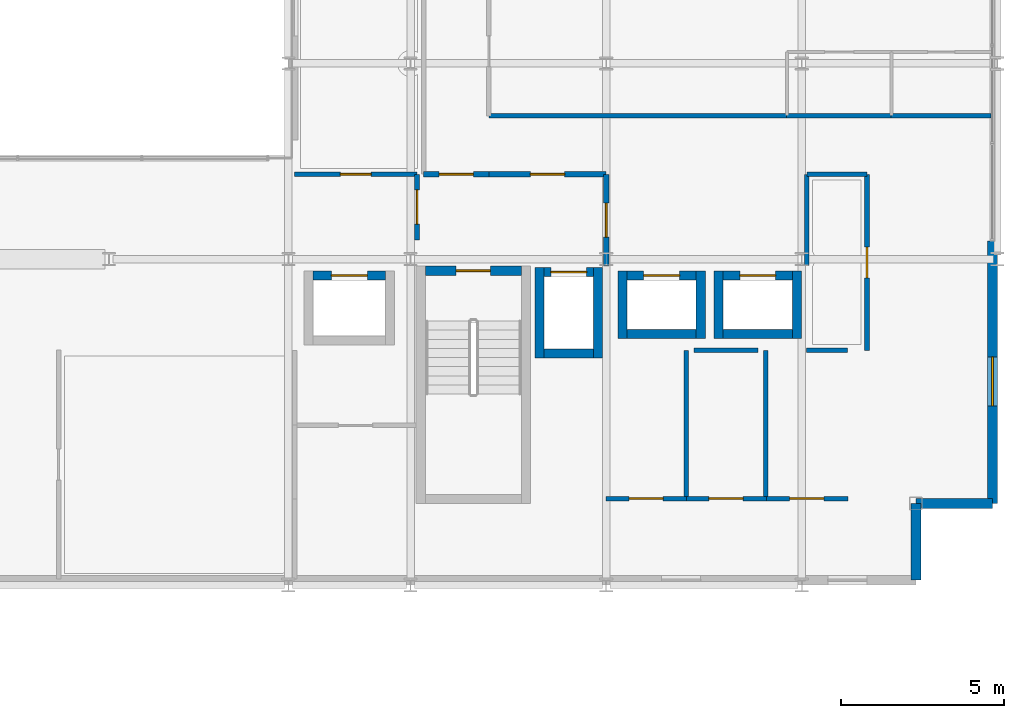
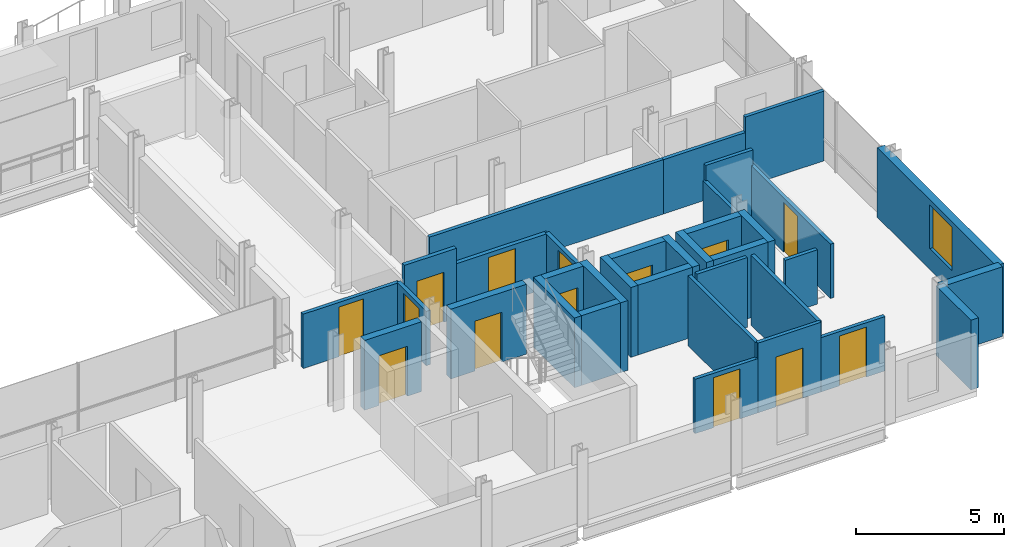
# One storey, part 36 of 41: 35 walls, 14 doors, 1 window, 15 openings.
"""IFC4 building model written with IfcOpenShell, lengths in metres."""

import ifcopenshell
import ifcopenshell.guid

model = None  # the IFC model being written
_history = None  # IfcOwnerHistory: only IFC2X3 demands one
_inside = {}  # id of a spatial element -> (the spatial element, [elements in it])
_under = {}  # id of a project, library or spatial element -> (it, [spatial elements below it])
_declared = {}  # id of a project -> (the project, [libraries it declares])
_typed = {}  # id of a type object -> (the type object, [elements of that type])
_made_of = {}  # id of a material, layer set ... -> (it, [elements and type objects made of it])


def new_model(schema):
    """Start an empty IFC model of exactly this schema.

    Asked for "IFC4X3", IfcOpenShell would pick the latest addendum, in which some entities
    have other attributes; the version numbers below select the first issue.
    IFC2X3 requires an IfcOwnerHistory on every rooted entity: one is made here for all.
    """
    global model, _history
    if schema == "IFC4X3":
        model = ifcopenshell.file(schema_version=(4, 3, 0, 0))
    else:
        model = ifcopenshell.file(schema=schema)
    _inside.clear()
    _under.clear()
    _declared.clear()
    _typed.clear()
    _made_of.clear()
    _history = None
    if model.schema == "IFC2X3":
        org = make("IfcOrganization", Name="unknown")
        user = make(
            "IfcPersonAndOrganization",
            ThePerson=make("IfcPerson", FamilyName="unknown"),
            TheOrganization=org,
        )
        app = make(
            "IfcApplication",
            ApplicationDeveloper=org,
            Version="unknown",
            ApplicationFullName="unknown",
            ApplicationIdentifier="unknown",
        )
        _history = make(
            "IfcOwnerHistory",
            OwningUser=user,
            OwningApplication=app,
            ChangeAction="ADDED",
            CreationDate=0,
        )
    return model


def make(cls, **values):
    """One entity of the class cls with the attributes given. An attribute that is None is left unset."""
    return model.create_entity(
        cls, **{name: value for name, value in values.items() if value is not None}
    )


def rooted(cls, **values):
    """An entity with a GlobalId (a new one), such as an element, a storey or a relation."""
    return make(cls, GlobalId=ifcopenshell.guid.new(), OwnerHistory=_history, **values)


def si_unit(unit_type, name, prefix=None):
    """IfcSIUnit, for example si_unit("LENGTHUNIT", "METRE", prefix="MILLI")."""
    return make("IfcSIUnit", UnitType=unit_type, Prefix=prefix, Name=name)


def assignment(units):
    """IfcUnitAssignment: the units of a project."""
    return None if units is None else make("IfcUnitAssignment", Units=units)


def point(xyz):
    """IfcCartesianPoint."""
    return None if xyz is None else make("IfcCartesianPoint", Coordinates=xyz)


def direction(xyz):
    """IfcDirection."""
    return None if xyz is None else make("IfcDirection", DirectionRatios=xyz)


def frame(location, z_axis=None, x_axis=None):
    """IfcAxis2Placement3D, a coordinate frame: its origin and axes. An axis left out is left unset."""
    return make(
        "IfcAxis2Placement3D",
        Location=point(location),
        Axis=direction(z_axis),
        RefDirection=direction(x_axis),
    )


def frame_2d(location, x_axis=None):
    """IfcAxis2Placement2D, a coordinate frame in the plane: its origin and x axis."""
    return make(
        "IfcAxis2Placement2D", Location=point(location), RefDirection=direction(x_axis)
    )


def origin():
    """The frame at (0, 0, 0) with its axes left unset."""
    return frame((0.0, 0.0, 0.0))


def place(relative_to, where):
    """IfcLocalPlacement: puts the frame where relative to a parent placement (None: the world)."""
    return make(
        "IfcLocalPlacement", PlacementRelTo=relative_to, RelativePlacement=where
    )


def context(
    kind, dimensions, precision=None, world=None, true_north=None, identifier=None
):
    """IfcGeometricRepresentationContext, for example the 3D "Model" context."""
    return make(
        "IfcGeometricRepresentationContext",
        ContextIdentifier=identifier,
        ContextType=kind,
        CoordinateSpaceDimension=dimensions,
        Precision=precision,
        WorldCoordinateSystem=world,
        TrueNorth=true_north,
    )


def subcontext(parent, identifier, kind, view, scale=None):
    """IfcGeometricRepresentationSubContext, for example "Body" below "Model"."""
    return make(
        "IfcGeometricRepresentationSubContext",
        ContextIdentifier=identifier,
        ContextType=kind,
        ParentContext=parent,
        TargetScale=scale,
        TargetView=view,
    )


def project(units=None, contexts=None):
    """IfcProject with its units and contexts."""
    return rooted(
        "IfcProject",
        Name="project",
        RepresentationContexts=contexts,
        UnitsInContext=assignment(units),
    )


def spatial(cls, under=None, at=None, **own):
    """A site, building, storey or space (cls), placed at a placement, below another one or the project."""
    s = rooted(cls, ObjectPlacement=at, **own)
    if under is not None:
        _under.setdefault(under.id(), (under, []))[1].append(s)
    return s


def profile(cls, at=None, kind="AREA", **sizes):
    """A parametric profile (cls). Its sizes go by their IFC names, for example OverallWidth=200.0."""
    return make(cls, ProfileType=kind, Position=at, **sizes)


def rectangle(**sizes):
    """IfcRectangleProfileDef."""
    return profile("IfcRectangleProfileDef", **sizes)


def extrude(swept, where, along, depth):
    """IfcExtrudedAreaSolid: the profile swept, set in the frame where, extruded along a direction by depth."""
    return make(
        "IfcExtrudedAreaSolid",
        SweptArea=swept,
        Position=where,
        ExtrudedDirection=direction(along),
        Depth=depth,
    )


def shape(context_of_items, identifier, shape_type, items):
    """IfcShapeRepresentation: the items that make up one representation, for example the "Body"."""
    return make(
        "IfcShapeRepresentation",
        ContextOfItems=context_of_items,
        RepresentationIdentifier=identifier,
        RepresentationType=shape_type,
        Items=items,
    )


def material(Name=None, Category=None):
    """IfcMaterial."""
    return make("IfcMaterial", Name=Name, Category=Category)


def layer(
    of_material, thickness, ventilated=None, Name=None, Category=None, Priority=None
):
    """IfcMaterialLayer: one layer of a wall or slab, of a material (None: an air gap)."""
    return make(
        "IfcMaterialLayer",
        Material=of_material,
        LayerThickness=thickness,
        IsVentilated=ventilated,
        Name=Name,
        Category=Category,
        Priority=Priority,
    )


def layer_set(layers, Name=None):
    """IfcMaterialLayerSet."""
    return make("IfcMaterialLayerSet", MaterialLayers=layers, LayerSetName=Name)


def made_of(thing, what):
    """Note that an element or type object is made of a material, layer set ...; save() writes the relation."""
    if what is not None:
        _made_of.setdefault(what.id(), (what, []))[1].append(thing)
    return thing


def type_object(cls, material=None, **own):
    """A type object (cls), such as IfcWallType, which elements share."""
    return made_of(rooted(cls, **own), material)


def element(
    cls,
    number,
    at=None,
    inside=None,
    cuts=None,
    type_object=None,
    material=None,
    context=None,
    identifier="Body",
    shape_type=None,
    held_by="IfcProductDefinitionShape",
    body=None,
    shapes=None,
    **own,
):
    """One element of the class cls, such as IfcWall. Its Tag is "e" and its number.

    at: its placement. inside: the storey or other place that contains it. cuts: it is an
    opening in that element (IfcRelVoidsElement). A single representation is given by context,
    identifier, shape_type and body (its items); several are given by shapes. held_by: the class
    of the entity that holds the representations. save() writes the other relations.
    """
    e = rooted(cls, Tag="e%d" % number, ObjectPlacement=at, **own)
    if body is not None:
        shapes = [shape(context, identifier, shape_type, body)]
    if shapes is not None:
        e.Representation = make(held_by, Representations=shapes)
    if inside is not None:
        _inside.setdefault(inside.id(), (inside, []))[1].append(e)
    if cuts is not None:
        rooted(
            "IfcRelVoidsElement", RelatingBuildingElement=cuts, RelatedOpeningElement=e
        )
    if type_object is not None:
        _typed.setdefault(type_object.id(), (type_object, []))[1].append(e)
    return made_of(e, material)


def fill(opening, filler):
    """IfcRelFillsElement: the door or window that sits in an opening."""
    return rooted(
        "IfcRelFillsElement",
        RelatingOpeningElement=opening,
        RelatedBuildingElement=filler,
    )


def aggregate(whole, parts):
    """IfcRelAggregates: a whole, such as a stair, and the parts it consists of."""
    return rooted("IfcRelAggregates", RelatingObject=whole, RelatedObjects=parts)


def save(model, path):
    """Write the relations noted so far, then the file.

    IfcRelAggregates (storeys below a building ...), IfcRelContainedInSpatialStructure (elements
    in a storey), IfcRelDefinesByType, IfcRelAssociatesMaterial and IfcRelDeclares: one each for
    every whole, place, type object, material and project.
    """
    for whole, parts in _under.values():
        aggregate(whole, parts)
    for where, things in _inside.values():
        rooted(
            "IfcRelContainedInSpatialStructure",
            RelatedElements=things,
            RelatingStructure=where,
        )
    for kind, things in _typed.values():
        rooted("IfcRelDefinesByType", RelatedObjects=things, RelatingType=kind)
    for what, things in _made_of.values():
        rooted("IfcRelAssociatesMaterial", RelatedObjects=things, RelatingMaterial=what)
    for by, libraries in _declared.values():
        rooted("IfcRelDeclares", RelatingContext=by, RelatedDefinitions=libraries)
    model.write(path)


model = new_model("IFC4")

# Units and contexts
model_context = context("Model", 3, precision=1e-05, world=origin(), true_north=direction((0.0, 1.0)))
body_context = subcontext(model_context, "Body", "Model", "MODEL_VIEW")
ifc_project = project(units=[si_unit("LENGTHUNIT", "METRE"), si_unit("AREAUNIT", "SQUARE_METRE"), si_unit("VOLUMEUNIT", "CUBIC_METRE"), si_unit("PLANEANGLEUNIT", "RADIAN"), si_unit("MASSUNIT", "GRAM", prefix="KILO")], contexts=[model_context])

# Site, building, storey
site_placement = place(None, origin())
site = spatial("IfcSite", under=ifc_project, at=site_placement, CompositionType="ELEMENT")
building_placement = place(site_placement, origin())
building = spatial("IfcBuilding", under=site, at=building_placement, Name="Brevholm Reach", CompositionType="ELEMENT")
storey_placement = place(building_placement, frame((0.0, 0.0, 144.89990234375)))
storey = spatial("IfcBuildingStorey", under=building, at=storey_placement, Name="L43", CompositionType="ELEMENT", Elevation=144.89990234375)

# Wall, opening, door
ifc_material_1 = material(Name="Concrete C50/60", Category="concrete")
ifc_layer_1 = layer(ifc_material_1, 0.280029296875)
ifc_layer_set_1 = layer_set([ifc_layer_1], Name="Concrete C50/60")
wall_type_1 = type_object("IfcWallType", Name="WAL-COR-280", PredefinedType="SHEAR", material=ifc_layer_set_1)
wall_1_placement = place(storey_placement, frame((45.39990234375, 9.639892578125, 0.0), z_axis=(0.0, 0.0, 1.0), x_axis=(-1.0, 0.0, 0.0)))
wall_1 = element("IfcWall", 1, at=wall_1_placement, inside=storey, type_object=wall_type_1, Name="L43 Escape Stair ST-2 Core Wall N", PredefinedType="SHEAR", context=body_context, shape_type="SweptSolid", body=[
    extrude(rectangle(XDim=2.949951171875, YDim=0.280029296875, at=frame_2d((1.47509765625, 0.0))), origin(), (0.0, 0.0, 1.0), 2.880126953125),
])
opening_1_placement = place(wall_1_placement, frame((0.949951171875, 0.0, 0.0)))
opening_1 = element("IfcOpeningElement", 2, at=opening_1_placement, cuts=wall_1, Name="Opening SD-ST-2", PredefinedType="OPENING", context=body_context, shape_type="SweptSolid", body=[
    extrude(rectangle(XDim=1.050048828125, YDim=2.06005859375, at=frame_2d((0.52490234375, 1.030029296875))), frame((0.0, 0.14990234375, 0.0), z_axis=(0.0, -1.0, 0.0), x_axis=(1.0, 0.0, 0.0)), (0.0, 0.0, 1.0), 0.300048828125),
])
ifc_material_2 = material(Name="Hardwood-Lipped Steel-Core Fire and Smoke Door", Category="steel")
door_type_1 = type_object("IfcDoorType", Name="DOR-INT-FD60S", OperationType="NOTDEFINED", PredefinedType="DOOR", material=ifc_material_2)
door_1_placement = place(opening_1_placement, origin())
door_1 = element("IfcDoor", 3, at=door_1_placement, inside=storey, type_object=door_type_1, Name="L43 Protected Stair ST-2 Lobby Door", OperationType="SINGLE_SWING_RIGHT", OverallHeight=2.06005859375, OverallWidth=1.050048828125, PredefinedType="DOOR", context=body_context, shape_type="SweptSolid", body=[
    extrude(rectangle(XDim=1.050048828125, YDim=2.06005859375, at=frame_2d((0.52490234375, 1.030029296875))), frame((0.0, 0.02490234375, 0.0), z_axis=(0.0, -1.0, 0.0), x_axis=(1.0, 0.0, 0.0)), (0.0, 0.0, 1.0), 0.050048828125),
])
fill(opening_1, door_1)

# Walls
for number, where, z_axis, x_axis, name in (
    (4, (45.949951171875, 6.9599609375, 0.0), (0.0, 0.0, 1.0), (0.0, 1.0, 0.0), "L43 Lift FFL-2 Shaft Wall W"),
    (5, (47.75, 6.9599609375, 0.0), (0.0, 0.0, 1.0), (0.0, 1.0, 0.0), "L43 Lift FFL-2 Shaft Wall E"),
):
    element("IfcWall", number, at=place(storey_placement, frame(where, z_axis=z_axis, x_axis=x_axis)), inside=storey, type_object=wall_type_1, Name=name, PredefinedType="SHEAR", context=body_context, shape_type="SweptSolid", body=[
        extrude(rectangle(XDim=2.780029296875, YDim=0.280029296875, at=frame_2d((1.39013671875, 0.0))), origin(), (0.0, 0.0, 1.0), 2.880126953125),
    ])
wall_2_placement = place(storey_placement, frame((46.090087890625, 7.10009765625, 0.0), z_axis=(0.0, 0.0, 1.0), x_axis=(1.0, 0.0, 0.0)))
element("IfcWall", 6, at=wall_2_placement, inside=storey, type_object=wall_type_1, Name="L43 Lift FFL-2 Shaft Wall S", PredefinedType="SHEAR", context=body_context, shape_type="SweptSolid", body=[
    extrude(rectangle(XDim=1.52001953125, YDim=0.280029296875, at=frame_2d((0.760009765625, 0.0))), origin(), (0.0, 0.0, 1.0), 2.880126953125),
])

# Wall, opening, door
wall_3_placement = place(storey_placement, frame((46.090087890625, 9.60009765625, 0.0), z_axis=(0.0, 0.0, 1.0), x_axis=(1.0, 0.0, 0.0)))
wall_3 = element("IfcWall", 7, at=wall_3_placement, inside=storey, type_object=wall_type_1, Name="L43 Lift FFL-2 Shaft Wall N", PredefinedType="SHEAR", context=body_context, shape_type="SweptSolid", body=[
    extrude(rectangle(XDim=1.52001953125, YDim=0.280029296875, at=frame_2d((0.760009765625, 0.0))), origin(), (0.0, 0.0, 1.0), 2.880126953125),
])
opening_2_placement = place(wall_3_placement, frame((0.2099609375, 0.0, 0.0)))
opening_2 = element("IfcOpeningElement", 8, at=opening_2_placement, cuts=wall_3, Name="Opening LD-FFL-2", PredefinedType="OPENING", context=body_context, shape_type="SweptSolid", body=[
    extrude(rectangle(XDim=1.10009765625, YDim=2.06005859375, at=frame_2d((0.550048828125, 1.030029296875))), frame((0.0, 0.14990234375, 0.0), z_axis=(0.0, -1.0, 0.0), x_axis=(1.0, 0.0, 0.0)), (0.0, 0.0, 1.0), 0.300048828125),
])
ifc_material_3 = material(Name="Brushed Stainless Steel Fire-Rated Sliding Lift Door", Category="steel")
door_type_2 = type_object("IfcDoorType", Name="DOR-LFT-1100", OperationType="NOTDEFINED", PredefinedType="DOOR", material=ifc_material_3)
door_2_placement = place(opening_2_placement, origin())
door_2 = element("IfcDoor", 9, at=door_2_placement, inside=storey, type_object=door_type_2, Name="L43 Lift FFL-2 Sliding Landing Door", OperationType="SLIDING_TO_RIGHT", OverallHeight=2.06005859375, OverallWidth=1.10009765625, PredefinedType="DOOR", context=body_context, shape_type="SweptSolid", body=[
    extrude(rectangle(XDim=1.10009765625, YDim=2.06005859375, at=frame_2d((0.550048828125, 1.030029296875))), frame((0.0, 0.02490234375, 0.0), z_axis=(0.0, -1.0, 0.0), x_axis=(1.0, 0.0, 0.0)), (0.0, 0.0, 1.0), 0.050048828125),
])
fill(opening_2, door_2)

wall_4_placement = place(storey_placement, frame((39.010009765625, 9.5, 0.0), z_axis=(0.0, 0.0, 1.0), x_axis=(1.0, 0.0, 0.0)))
wall_4 = element("IfcWall", 10, at=wall_4_placement, inside=storey, type_object=wall_type_1, Name="L43 Lift PL-S1 Shaft Wall N", PredefinedType="SHEAR", context=body_context, shape_type="SweptSolid", body=[
    extrude(rectangle(XDim=2.219970703125, YDim=0.280029296875, at=frame_2d((1.10986328125, 0.0))), origin(), (0.0, 0.0, 1.0), 2.880126953125),
])
opening_3_placement = place(wall_4_placement, frame((0.56005859375, 0.0, 0.0)))
opening_3 = element("IfcOpeningElement", 11, at=opening_3_placement, cuts=wall_4, Name="Opening LD-PL-S1", PredefinedType="OPENING", context=body_context, shape_type="SweptSolid", body=[
    extrude(rectangle(XDim=1.10009765625, YDim=2.06005859375, at=frame_2d((0.550048828125, 1.030029296875))), frame((0.0, 0.14990234375, 0.0), z_axis=(0.0, -1.0, 0.0), x_axis=(1.0, 0.0, 0.0)), (0.0, 0.0, 1.0), 0.300048828125),
])
door_3_placement = place(opening_3_placement, origin())
door_3 = element("IfcDoor", 12, at=door_3_placement, inside=storey, type_object=door_type_2, Name="L43 Lift PL-S1 Sliding Landing Door", OperationType="SLIDING_TO_LEFT", OverallHeight=2.06005859375, OverallWidth=1.10009765625, PredefinedType="DOOR", context=body_context, shape_type="SweptSolid", body=[
    extrude(rectangle(XDim=1.10009765625, YDim=2.06005859375, at=frame_2d((0.550048828125, 1.030029296875))), frame((0.0, 0.02490234375, 0.0), z_axis=(0.0, -1.0, 0.0), x_axis=(1.0, 0.0, 0.0)), (0.0, 0.0, 1.0), 0.050048828125),
])
fill(opening_3, door_3)

# Walls
for number, where, z_axis, x_axis, name in (
    (13, (48.5, 7.56005859375, 0.0), (0.0, 0.0, 1.0), (0.0, 1.0, 0.0), "L43 Lift PL-H1 Shaft Wall W"),
    (14, (50.89990234375, 7.56005859375, 0.0), (0.0, 0.0, 1.0), (0.0, 1.0, 0.0), "L43 Lift PL-H1 Shaft Wall E"),
):
    element("IfcWall", number, at=place(storey_placement, frame(where, z_axis=z_axis, x_axis=x_axis)), inside=storey, type_object=wall_type_1, Name=name, PredefinedType="SHEAR", context=body_context, shape_type="SweptSolid", body=[
        extrude(rectangle(XDim=2.079833984375, YDim=0.280029296875, at=frame_2d((1.0400390625, 0.0))), origin(), (0.0, 0.0, 1.0), 2.880126953125),
    ])
wall_5_placement = place(storey_placement, frame((48.639892578125, 7.699951171875, 0.0), z_axis=(0.0, 0.0, 1.0), x_axis=(1.0, 0.0, 0.0)))
element("IfcWall", 15, at=wall_5_placement, inside=storey, type_object=wall_type_1, Name="L43 Lift PL-H1 Shaft Wall S", PredefinedType="SHEAR", context=body_context, shape_type="SweptSolid", body=[
    extrude(rectangle(XDim=2.1201171875, YDim=0.280029296875, at=frame_2d((1.06005859375, 0.0))), origin(), (0.0, 0.0, 1.0), 2.880126953125),
])

# Wall, opening, door
wall_6_placement = place(storey_placement, frame((48.639892578125, 9.5, 0.0), z_axis=(0.0, 0.0, 1.0), x_axis=(1.0, 0.0, 0.0)))
wall_6 = element("IfcWall", 16, at=wall_6_placement, inside=storey, type_object=wall_type_1, Name="L43 Lift PL-H1 Shaft Wall N", PredefinedType="SHEAR", context=body_context, shape_type="SweptSolid", body=[
    extrude(rectangle(XDim=2.1201171875, YDim=0.280029296875, at=frame_2d((1.06005859375, 0.0))), origin(), (0.0, 0.0, 1.0), 2.880126953125),
])
opening_4_placement = place(wall_6_placement, frame((0.510009765625, 0.0, 0.0)))
opening_4 = element("IfcOpeningElement", 17, at=opening_4_placement, cuts=wall_6, Name="Opening LD-PL-H1", PredefinedType="OPENING", context=body_context, shape_type="SweptSolid", body=[
    extrude(rectangle(XDim=1.10009765625, YDim=2.06005859375, at=frame_2d((0.550048828125, 1.030029296875))), frame((0.0, 0.14990234375, 0.0), z_axis=(0.0, -1.0, 0.0), x_axis=(1.0, 0.0, 0.0)), (0.0, 0.0, 1.0), 0.300048828125),
])
door_4_placement = place(opening_4_placement, origin())
door_4 = element("IfcDoor", 18, at=door_4_placement, inside=storey, type_object=door_type_2, Name="L43 Lift PL-H1 Sliding Landing Door", OperationType="SLIDING_TO_RIGHT", OverallHeight=2.06005859375, OverallWidth=1.10009765625, PredefinedType="DOOR", context=body_context, shape_type="SweptSolid", body=[
    extrude(rectangle(XDim=1.10009765625, YDim=2.06005859375, at=frame_2d((0.550048828125, 1.030029296875))), frame((0.0, 0.02490234375, 0.0), z_axis=(0.0, -1.0, 0.0), x_axis=(1.0, 0.0, 0.0)), (0.0, 0.0, 1.0), 0.050048828125),
])
fill(opening_4, door_4)

# Walls
for number, where, z_axis, x_axis, name in (
    (19, (51.449951171875, 7.56005859375, 0.0), (0.0, 0.0, 1.0), (0.0, 1.0, 0.0), "L43 Lift PL-H2 Shaft Wall W"),
    (20, (53.85009765625, 7.56005859375, 0.0), (0.0, 0.0, 1.0), (0.0, 1.0, 0.0), "L43 Lift PL-H2 Shaft Wall E"),
):
    element("IfcWall", number, at=place(storey_placement, frame(where, z_axis=z_axis, x_axis=x_axis)), inside=storey, type_object=wall_type_1, Name=name, PredefinedType="SHEAR", context=body_context, shape_type="SweptSolid", body=[
        extrude(rectangle(XDim=2.079833984375, YDim=0.280029296875, at=frame_2d((1.0400390625, 0.0))), origin(), (0.0, 0.0, 1.0), 2.880126953125),
    ])
wall_7_placement = place(storey_placement, frame((51.590087890625, 7.699951171875, 0.0), z_axis=(0.0, 0.0, 1.0), x_axis=(1.0, 0.0, 0.0)))
element("IfcWall", 21, at=wall_7_placement, inside=storey, type_object=wall_type_1, Name="L43 Lift PL-H2 Shaft Wall S", PredefinedType="SHEAR", context=body_context, shape_type="SweptSolid", body=[
    extrude(rectangle(XDim=2.119873046875, YDim=0.280029296875, at=frame_2d((1.06005859375, 0.0))), origin(), (0.0, 0.0, 1.0), 2.880126953125),
])

# Wall, opening, door
wall_8_placement = place(storey_placement, frame((51.590087890625, 9.5, 0.0), z_axis=(0.0, 0.0, 1.0), x_axis=(1.0, 0.0, 0.0)))
wall_8 = element("IfcWall", 22, at=wall_8_placement, inside=storey, type_object=wall_type_1, Name="L43 Lift PL-H2 Shaft Wall N", PredefinedType="SHEAR", context=body_context, shape_type="SweptSolid", body=[
    extrude(rectangle(XDim=2.119873046875, YDim=0.280029296875, at=frame_2d((1.06005859375, 0.0))), origin(), (0.0, 0.0, 1.0), 2.880126953125),
])
opening_5_placement = place(wall_8_placement, frame((0.510009765625, 0.0, 0.0)))
opening_5 = element("IfcOpeningElement", 23, at=opening_5_placement, cuts=wall_8, Name="Opening LD-PL-H2", PredefinedType="OPENING", context=body_context, shape_type="SweptSolid", body=[
    extrude(rectangle(XDim=1.10009765625, YDim=2.06005859375, at=frame_2d((0.550048828125, 1.030029296875))), frame((0.0, 0.14990234375, 0.0), z_axis=(0.0, -1.0, 0.0), x_axis=(1.0, 0.0, 0.0)), (0.0, 0.0, 1.0), 0.300048828125),
])
door_5_placement = place(opening_5_placement, origin())
door_5 = element("IfcDoor", 24, at=door_5_placement, inside=storey, type_object=door_type_2, Name="L43 Lift PL-H2 Sliding Landing Door", OperationType="SLIDING_TO_LEFT", OverallHeight=2.06005859375, OverallWidth=1.10009765625, PredefinedType="DOOR", context=body_context, shape_type="SweptSolid", body=[
    extrude(rectangle(XDim=1.10009765625, YDim=2.06005859375, at=frame_2d((0.550048828125, 1.030029296875))), frame((0.0, 0.02490234375, 0.0), z_axis=(0.0, -1.0, 0.0), x_axis=(1.0, 0.0, 0.0)), (0.0, 0.0, 1.0), 0.050048828125),
])
fill(opening_5, door_5)

# Walls
ifc_material_4 = material(Name="Concrete C40/50", Category="concrete")
ifc_layer_2 = layer(ifc_material_4, 0.300048828125)
ifc_layer_set_2 = layer_set([ifc_layer_2], Name="Concrete C40/50")
wall_type_2 = type_object("IfcWallType", Name="WAL-EXT-300", PredefinedType="STANDARD", material=ifc_layer_set_2)
for number, where, z_axis, x_axis, name in (
    (25, (57.5, 0.14990234375, 0.0), (0.0, 0.0, 1.0), (0.0, 1.0, 0.0), "L43 Facade Wall WAL-L43-CSE1"),
    (26, (57.5, 2.5, 0.0), (0.0, 0.0, 1.0), (1.0, 0.0, 0.0), "L43 Facade Wall WAL-L43-CSE2"),
):
    element("IfcWall", number, at=place(storey_placement, frame(where, z_axis=z_axis, x_axis=x_axis)), inside=storey, type_object=wall_type_2, Name=name, PredefinedType="STANDARD", context=body_context, shape_type="SweptSolid", body=[
        extrude(rectangle(XDim=2.35009765625, YDim=0.300048828125, at=frame_2d((1.175048828125, 0.0))), origin(), (0.0, 0.0, 1.0), 2.880126953125),
    ])

# Wall, opening, window
wall_9_placement = place(storey_placement, frame((59.85009765625, 2.5, 0.0), z_axis=(0.0, 0.0, 1.0), x_axis=(0.0, 1.0, 0.0)))
wall_9 = element("IfcWall", 27, at=wall_9_placement, inside=storey, type_object=wall_type_2, Name="L43 Facade Wall WAL-L43-E-S", PredefinedType="STANDARD", context=body_context, shape_type="SweptSolid", body=[
    extrude(rectangle(XDim=8.050048828125, YDim=0.300048828125, at=frame_2d((4.02490234375, 0.0))), origin(), (0.0, 0.0, 1.0), 2.880126953125),
])
opening_6_placement = place(wall_9_placement, frame((3.0, 0.0, 0.860107421875)))
opening_6 = element("IfcOpeningElement", 28, at=opening_6_placement, cuts=wall_9, Name="Opening WN-05", PredefinedType="OPENING", context=body_context, shape_type="SweptSolid", body=[
    extrude(rectangle(XDim=1.5, YDim=1.800048828125, at=frame_2d((0.75, 0.89990234375))), frame((0.0, 0.159912109375, 0.0), z_axis=(0.0, -1.0, 0.0), x_axis=(1.0, 0.0, 0.0)), (0.0, 0.0, 1.0), 0.320068359375),
])
ifc_material_5 = material(Name="Dark Anodised Aluminium and Solar-Control IGU Glass", Category="aluminium")
window_type = type_object("IfcWindowType", Name="WIN-RES-1500", PartitioningType="SINGLE_PANEL", PredefinedType="WINDOW", material=ifc_material_5)
window_placement = place(opening_6_placement, origin())
window = element("IfcWindow", 29, at=window_placement, inside=storey, type_object=window_type, Name="L43 Window WIN-L43-ES-1", OverallHeight=1.800048828125, OverallWidth=1.5, PartitioningType="SINGLE_PANEL", PredefinedType="WINDOW", context=body_context, shape_type="SweptSolid", body=[
    extrude(rectangle(XDim=1.5, YDim=1.800048828125, at=frame_2d((0.75, 0.89990234375))), frame((0.0, 0.030029296875, 0.0), z_axis=(0.0, -1.0, 0.0), x_axis=(1.0, 0.0, 0.0)), (0.0, 0.0, 1.0), 0.06005859375),
])
fill(opening_6, window)

# Wall, opening, door
ifc_material_6 = material(Name="Twin-Stud Acoustic Fire-Rated Gypsum Partition 140 mm", Category="gypsum")
ifc_layer_3 = layer(ifc_material_6, 0.139892578125)
ifc_layer_set_3 = layer_set([ifc_layer_3], Name="Twin-Stud Acoustic Fire-Rated Gypsum Partition 140 mm")
wall_type_3 = type_object("IfcWallType", Name="WAL-PRT-140", PredefinedType="PARTITIONING", material=ifc_layer_set_3)
wall_10_placement = place(storey_placement, frame((56.0, 7.188720703125, 0.0), z_axis=(0.0, 0.0, 1.0), x_axis=(0.0, 1.0, 0.0)))
wall_10 = element("IfcWall", 30, at=wall_10_placement, inside=storey, type_object=wall_type_3, Name="L43 Internal Partition 016", PredefinedType="PARTITIONING", context=body_context, shape_type="SweptSolid", body=[
    extrude(rectangle(XDim=5.411376953125, YDim=0.139892578125, at=frame_2d((2.70556640625, 0.0))), origin(), (0.0, 0.0, 1.0), 2.242919921875),
])
opening_7_placement = place(wall_10_placement, frame((2.230712890625, 0.0, 0.0)))
opening_7 = element("IfcOpeningElement", 31, at=opening_7_placement, cuts=wall_10, Name="Opening ID-30", PredefinedType="OPENING", context=body_context, shape_type="SweptSolid", body=[
    extrude(rectangle(XDim=0.949951171875, YDim=2.050048828125, at=frame_2d((0.47509765625, 1.02490234375))), frame((0.0, 0.079833984375, 0.0), z_axis=(0.0, -1.0, 0.0), x_axis=(1.0, 0.0, 0.0)), (0.0, 0.0, 1.0), 0.159912109375),
])
ifc_material_7 = material(Name="European Oak Veneered Solid-Core Fire Entrance Door", Category="timber")
door_type_3 = type_object("IfcDoorType", Name="DOR-FLT-FD30S", OperationType="NOTDEFINED", PredefinedType="DOOR", material=ifc_material_7)
door_6_placement = place(opening_7_placement, origin())
door_6 = element("IfcDoor", 32, at=door_6_placement, inside=storey, type_object=door_type_3, Name="L43 Internal Door 007", OperationType="SINGLE_SWING_RIGHT", OverallHeight=2.050048828125, OverallWidth=0.949951171875, PredefinedType="DOOR", context=body_context, shape_type="SweptSolid", body=[
    extrude(rectangle(XDim=0.949951171875, YDim=2.050048828125, at=frame_2d((0.47509765625, 1.02490234375))), frame((0.0, 0.02490234375, 0.0), z_axis=(0.0, -1.0, 0.0), x_axis=(1.0, 0.0, 0.0)), (0.0, 0.0, 1.0), 0.050048828125),
])
fill(opening_7, door_6)

wall_11_placement = place(storey_placement, frame((47.98876953125, 2.64990234375, 0.0), z_axis=(0.0, 0.0, 1.0), x_axis=(1.0, 0.0, 0.0)))
wall_11 = element("IfcWall", 33, at=wall_11_placement, inside=storey, type_object=wall_type_3, Name="L43 Internal Partition 017", PredefinedType="PARTITIONING", context=body_context, shape_type="SweptSolid", body=[
    extrude(rectangle(XDim=2.472412109375, YDim=0.139892578125, at=frame_2d((1.236328125, 0.0))), origin(), (0.0, 0.0, 1.0), 2.242919921875),
])
opening_8_placement = place(wall_11_placement, frame((0.711181640625, 0.0, 0.0)))
opening_8 = element("IfcOpeningElement", 34, at=opening_8_placement, cuts=wall_11, Name="Opening FD-01", PredefinedType="OPENING", context=body_context, shape_type="SweptSolid", body=[
    extrude(rectangle(XDim=1.050048828125, YDim=2.06005859375, at=frame_2d((0.52490234375, 1.030029296875))), frame((0.0, 0.079833984375, 0.0), z_axis=(0.0, -1.0, 0.0), x_axis=(1.0, 0.0, 0.0)), (0.0, 0.0, 1.0), 0.159912109375),
])
door_7_placement = place(opening_8_placement, origin())
door_7 = element("IfcDoor", 35, at=door_7_placement, inside=storey, type_object=door_type_1, Name="L43 Internal Door 008", OperationType="SINGLE_SWING_LEFT", OverallHeight=2.06005859375, OverallWidth=1.050048828125, PredefinedType="DOOR", context=body_context, shape_type="SweptSolid", body=[
    extrude(rectangle(XDim=1.050048828125, YDim=2.06005859375, at=frame_2d((0.52490234375, 1.030029296875))), frame((0.0, 0.02490234375, 0.0), z_axis=(0.0, -1.0, 0.0), x_axis=(1.0, 0.0, 0.0)), (0.0, 0.0, 1.0), 0.050048828125),
])
fill(opening_8, door_7)

wall_12_placement = place(storey_placement, frame((50.442626953125, 2.64990234375, 0.0), z_axis=(0.0, 0.0, 1.0), x_axis=(1.0, 0.0, 0.0)))
wall_12 = element("IfcWall", 36, at=wall_12_placement, inside=storey, type_object=wall_type_3, Name="L43 Internal Partition 018", PredefinedType="PARTITIONING", context=body_context, shape_type="SweptSolid", body=[
    extrude(rectangle(XDim=2.46875, YDim=0.139892578125, at=frame_2d((1.234375, 0.0))), origin(), (0.0, 0.0, 1.0), 2.880126953125),
])
opening_9_placement = place(wall_12_placement, frame((0.709228515625, 0.0, 0.0)))
opening_9 = element("IfcOpeningElement", 37, at=opening_9_placement, cuts=wall_12, Name="Opening FD-01", PredefinedType="OPENING", context=body_context, shape_type="SweptSolid", body=[
    extrude(rectangle(XDim=1.050048828125, YDim=2.06005859375, at=frame_2d((0.52490234375, 1.030029296875))), frame((0.0, 0.079833984375, 0.0), z_axis=(0.0, -1.0, 0.0), x_axis=(1.0, 0.0, 0.0)), (0.0, 0.0, 1.0), 0.159912109375),
])
door_8_placement = place(opening_9_placement, origin())
door_8 = element("IfcDoor", 38, at=door_8_placement, inside=storey, type_object=door_type_1, Name="L43 Internal Door 009", OperationType="SINGLE_SWING_RIGHT", OverallHeight=2.06005859375, OverallWidth=1.050048828125, PredefinedType="DOOR", context=body_context, shape_type="SweptSolid", body=[
    extrude(rectangle(XDim=1.050048828125, YDim=2.06005859375, at=frame_2d((0.52490234375, 1.030029296875))), frame((0.0, 0.02490234375, 0.0), z_axis=(0.0, -1.0, 0.0), x_axis=(1.0, 0.0, 0.0)), (0.0, 0.0, 1.0), 0.050048828125),
])
fill(opening_9, door_8)

wall_13_placement = place(storey_placement, frame((52.892578125, 2.64990234375, 0.0), z_axis=(0.0, 0.0, 1.0), x_axis=(1.0, 0.0, 0.0)))
wall_13 = element("IfcWall", 39, at=wall_13_placement, inside=storey, type_object=wall_type_3, Name="L43 Internal Partition 019", PredefinedType="PARTITIONING", context=body_context, shape_type="SweptSolid", body=[
    extrude(rectangle(XDim=2.518798828125, YDim=0.139892578125, at=frame_2d((1.25927734375, 0.0))), origin(), (0.0, 0.0, 1.0), 2.242919921875),
])
opening_10_placement = place(wall_13_placement, frame((0.734375, 0.0, 0.0)))
opening_10 = element("IfcOpeningElement", 40, at=opening_10_placement, cuts=wall_13, Name="Opening FD-01", PredefinedType="OPENING", context=body_context, shape_type="SweptSolid", body=[
    extrude(rectangle(XDim=1.050048828125, YDim=2.06005859375, at=frame_2d((0.52490234375, 1.030029296875))), frame((0.0, 0.079833984375, 0.0), z_axis=(0.0, -1.0, 0.0), x_axis=(1.0, 0.0, 0.0)), (0.0, 0.0, 1.0), 0.159912109375),
])
door_9_placement = place(opening_10_placement, origin())
door_9 = element("IfcDoor", 41, at=door_9_placement, inside=storey, type_object=door_type_1, Name="L43 Internal Door 010", OperationType="SINGLE_SWING_LEFT", OverallHeight=2.06005859375, OverallWidth=1.050048828125, PredefinedType="DOOR", context=body_context, shape_type="SweptSolid", body=[
    extrude(rectangle(XDim=1.050048828125, YDim=2.06005859375, at=frame_2d((0.52490234375, 1.030029296875))), frame((0.0, 0.02490234375, 0.0), z_axis=(0.0, -1.0, 0.0), x_axis=(1.0, 0.0, 0.0)), (0.0, 0.0, 1.0), 0.050048828125),
])
fill(opening_10, door_9)

# Walls
for number, where, z_axis, x_axis, name in (
    (42, (50.449951171875, 2.654052734375, 0.0), (0.0, 0.0, 1.0), (0.0, 1.0, 0.0), "L43 Internal Partition 025"),
    (43, (52.89990234375, 2.654052734375, 0.0), (0.0, 0.0, 1.0), (0.0, 1.0, 0.0), "L43 Internal Partition 026"),
):
    element("IfcWall", number, at=place(storey_placement, frame(where, z_axis=z_axis, x_axis=x_axis)), inside=storey, type_object=wall_type_3, Name=name, PredefinedType="PARTITIONING", context=body_context, shape_type="SweptSolid", body=[
        extrude(rectangle(XDim=4.5458984375, YDim=0.139892578125, at=frame_2d((2.27294921875, 0.0))), origin(), (0.0, 0.0, 1.0), 2.880126953125),
    ])
wall_14_placement = place(storey_placement, frame((54.138671875, 7.199951171875, 0.0), z_axis=(0.0, 0.0, 1.0), x_axis=(1.0, 0.0, 0.0)))
element("IfcWall", 44, at=wall_14_placement, inside=storey, type_object=wall_type_3, Name="L43 Internal Partition 027", PredefinedType="PARTITIONING", context=body_context, shape_type="SweptSolid", body=[
    extrude(rectangle(XDim=1.26123046875, YDim=0.139892578125, at=frame_2d((0.630615234375, 0.0))), origin(), (0.0, 0.0, 1.0), 2.242919921875),
])
wall_15_placement = place(storey_placement, frame((54.14990234375, 9.800048828125, 0.0), z_axis=(0.0, 0.0, 1.0), x_axis=(0.0, 1.0, 0.0)))
element("IfcWall", 45, at=wall_15_placement, inside=storey, type_object=wall_type_3, Name="L43 Internal Partition 039", PredefinedType="PARTITIONING", context=body_context, shape_type="SweptSolid", body=[
    extrude(rectangle(XDim=2.800048828125, YDim=0.139892578125, at=frame_2d((1.39990234375, 0.0))), origin(), (0.0, 0.0, 1.0), 2.242919921875),
])
wall_16_placement = place(storey_placement, frame((54.154052734375, 12.60009765625, 0.0), z_axis=(0.0, 0.0, 1.0), x_axis=(1.0, 0.0, 0.0)))
element("IfcWall", 46, at=wall_16_placement, inside=storey, type_object=wall_type_3, Name="L43 Internal Partition 040", PredefinedType="PARTITIONING", context=body_context, shape_type="SweptSolid", body=[
    extrude(rectangle(XDim=1.842041015625, YDim=0.139892578125, at=frame_2d((0.9208984375, 0.0))), origin(), (0.0, 0.0, 1.0), 2.880126953125),
])

# Wall, opening, door
wall_17_placement = place(storey_placement, frame((38.438720703125, 12.60009765625, 0.0), z_axis=(0.0, 0.0, 1.0), x_axis=(1.0, 0.0, 0.0)))
wall_17 = element("IfcWall", 47, at=wall_17_placement, inside=storey, type_object=wall_type_3, Name="L43 Internal Partition 041", PredefinedType="PARTITIONING", context=body_context, shape_type="SweptSolid", body=[
    extrude(rectangle(XDim=3.75732421875, YDim=0.139892578125, at=frame_2d((1.878662109375, 0.0))), origin(), (0.0, 0.0, 1.0), 2.242919921875),
])
opening_11_placement = place(wall_17_placement, frame((1.40380859375, 0.0, 0.0)))
opening_11 = element("IfcOpeningElement", 48, at=opening_11_placement, cuts=wall_17, Name="Opening ID-30", PredefinedType="OPENING", context=body_context, shape_type="SweptSolid", body=[
    extrude(rectangle(XDim=0.949951171875, YDim=2.050048828125, at=frame_2d((0.47509765625, 1.02490234375))), frame((0.0, 0.079833984375, 0.0), z_axis=(0.0, -1.0, 0.0), x_axis=(1.0, 0.0, 0.0)), (0.0, 0.0, 1.0), 0.159912109375),
])
door_10_placement = place(opening_11_placement, origin())
door_10 = element("IfcDoor", 49, at=door_10_placement, inside=storey, type_object=door_type_3, Name="L43 Internal Door 020", OperationType="SINGLE_SWING_LEFT", OverallHeight=2.050048828125, OverallWidth=0.949951171875, PredefinedType="DOOR", context=body_context, shape_type="SweptSolid", body=[
    extrude(rectangle(XDim=0.949951171875, YDim=2.050048828125, at=frame_2d((0.47509765625, 1.02490234375))), frame((0.0, 0.02490234375, 0.0), z_axis=(0.0, -1.0, 0.0), x_axis=(1.0, 0.0, 0.0)), (0.0, 0.0, 1.0), 0.050048828125),
])
fill(opening_11, door_10)

# Walls
wall_18_placement = place(storey_placement, frame((56.73876953125, 14.39990234375, 0.0), z_axis=(0.0, 0.0, 1.0), x_axis=(1.0, 0.0, 0.0)))
element("IfcWall", 50, at=wall_18_placement, inside=storey, type_object=wall_type_3, Name="L43 Internal Partition 057", PredefinedType="PARTITIONING", context=body_context, shape_type="SweptSolid", body=[
    extrude(rectangle(XDim=3.072509765625, YDim=0.139892578125, at=frame_2d((1.5361328125, 0.0))), origin(), (0.0, 0.0, 1.0), 2.880126953125),
])
wall_19_placement = place(storey_placement, frame((53.538818359375, 14.39990234375, 0.0), z_axis=(0.0, 0.0, 1.0), x_axis=(1.0, 0.0, 0.0)))
element("IfcWall", 51, at=wall_19_placement, inside=storey, type_object=wall_type_3, Name="L43 Internal Partition 058", PredefinedType="PARTITIONING", context=body_context, shape_type="SweptSolid", body=[
    extrude(rectangle(XDim=3.218505859375, YDim=0.139892578125, at=frame_2d((1.609375, 0.0))), origin(), (0.0, 0.0, 1.0), 2.242919921875),
])
wall_20_placement = place(storey_placement, frame((44.404052734375, 14.39990234375, 0.0), z_axis=(0.0, 0.0, 1.0), x_axis=(1.0, 0.0, 0.0)))
element("IfcWall", 52, at=wall_20_placement, inside=storey, type_object=wall_type_3, Name="L43 Internal Partition 059", PredefinedType="PARTITIONING", context=body_context, shape_type="SweptSolid", body=[
    extrude(rectangle(XDim=9.1533203125, YDim=0.139892578125, at=frame_2d((4.57666015625, 0.0))), origin(), (0.0, 0.0, 1.0), 2.242919921875),
])
wall_21_placement = place(storey_placement, frame((50.68994140625, 7.199951171875, 0.0), z_axis=(0.0, 0.0, 1.0), x_axis=(1.0, 0.0, 0.0)))
element("IfcWall", 53, at=wall_21_placement, inside=storey, type_object=wall_type_3, Name="L43 Internal Partition 128", PredefinedType="PARTITIONING", context=body_context, shape_type="SweptSolid", body=[
    extrude(rectangle(XDim=1.969970703125, YDim=0.139892578125, at=frame_2d((0.98486328125, 0.0))), origin(), (0.0, 0.0, 1.0), 2.880126953125),
])

# Wall, opening, door
ifc_material_8 = material(Name="Twin-Frame Fire-Rated Gypsum Board and Mineral Wool 160 mm", Category="gypsum")
ifc_layer_4 = layer(ifc_material_8, 0.159912109375)
ifc_layer_set_4 = layer_set([ifc_layer_4], Name="Twin-Frame Fire-Rated Gypsum Board and Mineral Wool 160 mm")
wall_type_4 = type_object("IfcWallType", Name="WAL-PRT-160", PredefinedType="PARTITIONING", material=ifc_layer_set_4)
wall_22_placement = place(storey_placement, frame((48.0, 9.788818359375, 0.0), z_axis=(0.0, 0.0, 1.0), x_axis=(0.0, 1.0, 0.0)))
wall_22 = element("IfcWall", 54, at=wall_22_placement, inside=storey, type_object=wall_type_4, Name="L43 Internal Partition 035", PredefinedType="PARTITIONING", context=body_context, shape_type="SweptSolid", body=[
    extrude(rectangle(XDim=2.811279296875, YDim=0.159912109375, at=frame_2d((1.40576171875, 0.0))), origin(), (0.0, 0.0, 1.0), 2.242919921875),
])
opening_12_placement = place(wall_22_placement, frame((0.880615234375, 0.0, 0.0)))
opening_12 = element("IfcOpeningElement", 55, at=opening_12_placement, cuts=wall_22, Name="Opening FD-01", PredefinedType="OPENING", context=body_context, shape_type="SweptSolid", body=[
    extrude(rectangle(XDim=1.050048828125, YDim=2.06005859375, at=frame_2d((0.52490234375, 1.030029296875))), frame((0.0, 0.08984375, 0.0), z_axis=(0.0, -1.0, 0.0), x_axis=(1.0, 0.0, 0.0)), (0.0, 0.0, 1.0), 0.179931640625),
])
door_11_placement = place(opening_12_placement, origin())
door_11 = element("IfcDoor", 56, at=door_11_placement, inside=storey, type_object=door_type_1, Name="L43 Internal Door 016", OperationType="SINGLE_SWING_LEFT", OverallHeight=2.06005859375, OverallWidth=1.050048828125, PredefinedType="DOOR", context=body_context, shape_type="SweptSolid", body=[
    extrude(rectangle(XDim=1.050048828125, YDim=2.06005859375, at=frame_2d((0.52490234375, 1.030029296875))), frame((0.0, 0.02490234375, 0.0), z_axis=(0.0, -1.0, 0.0), x_axis=(1.0, 0.0, 0.0)), (0.0, 0.0, 1.0), 0.050048828125),
])
fill(opening_12, door_11)

wall_23_placement = place(storey_placement, frame((42.199951171875, 10.588623046875, 0.0), z_axis=(0.0, 0.0, 1.0), x_axis=(0.0, 1.0, 0.0)))
wall_23 = element("IfcWall", 57, at=wall_23_placement, inside=storey, type_object=wall_type_4, Name="L43 Internal Partition 036", PredefinedType="PARTITIONING", context=body_context, shape_type="SweptSolid", body=[
    extrude(rectangle(XDim=2.011474609375, YDim=0.159912109375, at=frame_2d((1.005859375, 0.0))), origin(), (0.0, 0.0, 1.0), 2.242919921875),
])
opening_13_placement = place(wall_23_placement, frame((0.480712890625, 0.0, 0.0)))
opening_13 = element("IfcOpeningElement", 58, at=opening_13_placement, cuts=wall_23, Name="Opening FD-01", PredefinedType="OPENING", context=body_context, shape_type="SweptSolid", body=[
    extrude(rectangle(XDim=1.050048828125, YDim=2.06005859375, at=frame_2d((0.52490234375, 1.030029296875))), frame((0.0, 0.08984375, 0.0), z_axis=(0.0, -1.0, 0.0), x_axis=(1.0, 0.0, 0.0)), (0.0, 0.0, 1.0), 0.179931640625),
])
door_12_placement = place(opening_13_placement, origin())
door_12 = element("IfcDoor", 59, at=door_12_placement, inside=storey, type_object=door_type_1, Name="L43 Internal Door 017", OperationType="SINGLE_SWING_RIGHT", OverallHeight=2.06005859375, OverallWidth=1.050048828125, PredefinedType="DOOR", context=body_context, shape_type="SweptSolid", body=[
    extrude(rectangle(XDim=1.050048828125, YDim=2.06005859375, at=frame_2d((0.52490234375, 1.030029296875))), frame((0.0, 0.02490234375, 0.0), z_axis=(0.0, -1.0, 0.0), x_axis=(1.0, 0.0, 0.0)), (0.0, 0.0, 1.0), 0.050048828125),
])
fill(opening_13, door_12)

wall_24_placement = place(storey_placement, frame((42.388671875, 12.60009765625, 0.0), z_axis=(0.0, 0.0, 1.0), x_axis=(1.0, 0.0, 0.0)))
wall_24 = element("IfcWall", 60, at=wall_24_placement, inside=storey, type_object=wall_type_4, Name="L43 Internal Partition 037", PredefinedType="PARTITIONING", context=body_context, shape_type="SweptSolid", body=[
    extrude(rectangle(XDim=2.022705078125, YDim=0.159912109375, at=frame_2d((1.01123046875, 0.0))), origin(), (0.0, 0.0, 1.0), 2.880126953125),
])
opening_14_placement = place(wall_24_placement, frame((0.486328125, 0.0, 0.0)))
opening_14 = element("IfcOpeningElement", 61, at=opening_14_placement, cuts=wall_24, Name="Opening FD-01", PredefinedType="OPENING", context=body_context, shape_type="SweptSolid", body=[
    extrude(rectangle(XDim=1.050048828125, YDim=2.06005859375, at=frame_2d((0.52490234375, 1.030029296875))), frame((0.0, 0.08984375, 0.0), z_axis=(0.0, -1.0, 0.0), x_axis=(1.0, 0.0, 0.0)), (0.0, 0.0, 1.0), 0.179931640625),
])
door_13_placement = place(opening_14_placement, origin())
door_13 = element("IfcDoor", 62, at=door_13_placement, inside=storey, type_object=door_type_1, Name="L43 Internal Door 018", OperationType="SINGLE_SWING_LEFT", OverallHeight=2.06005859375, OverallWidth=1.050048828125, PredefinedType="DOOR", context=body_context, shape_type="SweptSolid", body=[
    extrude(rectangle(XDim=1.050048828125, YDim=2.06005859375, at=frame_2d((0.52490234375, 1.030029296875))), frame((0.0, 0.02490234375, 0.0), z_axis=(0.0, -1.0, 0.0), x_axis=(1.0, 0.0, 0.0)), (0.0, 0.0, 1.0), 0.050048828125),
])
fill(opening_14, door_13)

wall_25_placement = place(storey_placement, frame((44.392578125, 12.60009765625, 0.0), z_axis=(0.0, 0.0, 1.0), x_axis=(1.0, 0.0, 0.0)))
wall_25 = element("IfcWall", 63, at=wall_25_placement, inside=storey, type_object=wall_type_4, Name="L43 Internal Partition 038", PredefinedType="PARTITIONING", context=body_context, shape_type="SweptSolid", body=[
    extrude(rectangle(XDim=3.607421875, YDim=0.159912109375, at=frame_2d((1.8037109375, 0.0))), origin(), (0.0, 0.0, 1.0), 2.242919921875),
])
opening_15_placement = place(wall_25_placement, frame((1.27880859375, 0.0, 0.0)))
opening_15 = element("IfcOpeningElement", 64, at=opening_15_placement, cuts=wall_25, Name="Opening FD-01", PredefinedType="OPENING", context=body_context, shape_type="SweptSolid", body=[
    extrude(rectangle(XDim=1.050048828125, YDim=2.06005859375, at=frame_2d((0.52490234375, 1.030029296875))), frame((0.0, 0.08984375, 0.0), z_axis=(0.0, -1.0, 0.0), x_axis=(1.0, 0.0, 0.0)), (0.0, 0.0, 1.0), 0.179931640625),
])
door_14_placement = place(opening_15_placement, origin())
door_14 = element("IfcDoor", 65, at=door_14_placement, inside=storey, type_object=door_type_1, Name="L43 Internal Door 019", OperationType="SINGLE_SWING_RIGHT", OverallHeight=2.06005859375, OverallWidth=1.050048828125, PredefinedType="DOOR", context=body_context, shape_type="SweptSolid", body=[
    extrude(rectangle(XDim=1.050048828125, YDim=2.06005859375, at=frame_2d((0.52490234375, 1.030029296875))), frame((0.0, 0.02490234375, 0.0), z_axis=(0.0, -1.0, 0.0), x_axis=(1.0, 0.0, 0.0)), (0.0, 0.0, 1.0), 0.050048828125),
])
fill(opening_15, door_14)

save(model, "model.ifc")
